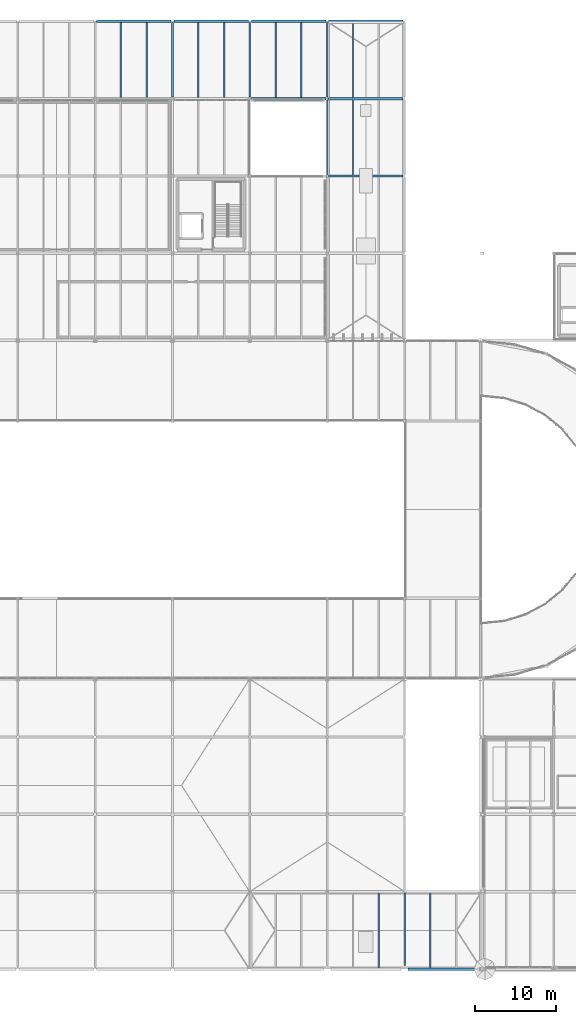
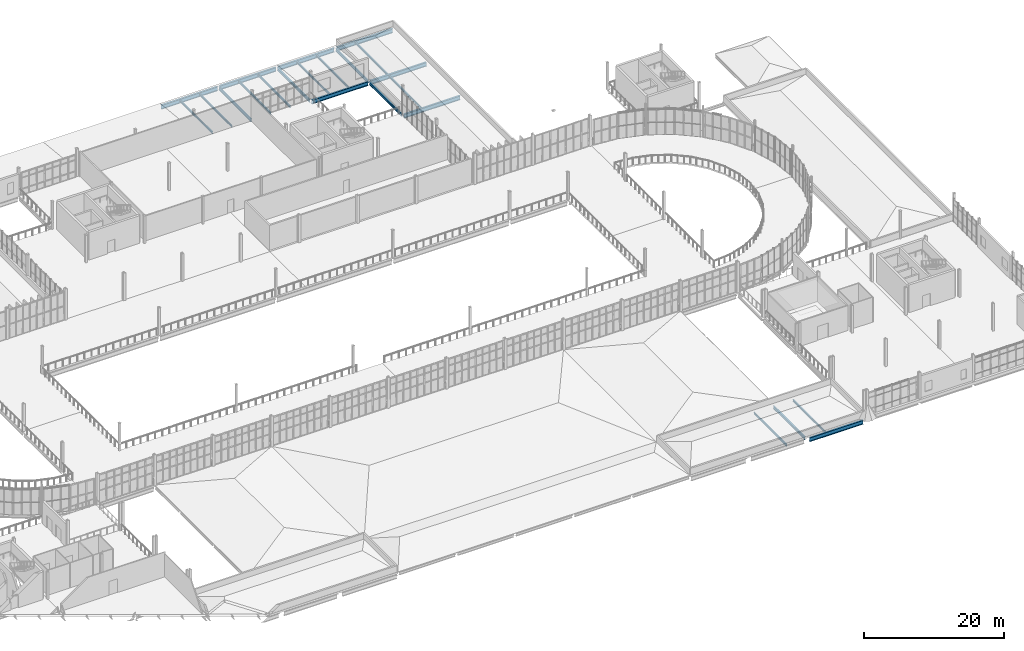
# One storey, part 54 of 112: 23 beams.
"""IFC4 building model written with IfcOpenShell, lengths in metres."""

from ifc_helpers import new_model, si_unit, direction, frame, origin, origin_2d, place, context, subcontext, project, spatial, i_section, extrude, material, material_profile, profile_set, type_object, element, save


model = new_model("IFC4")

# Units and contexts
model_context = context("Model", 3, precision=1e-05, world=origin(), true_north=direction((0.0, 1.0)))
body_context = subcontext(model_context, "Body", "Model", "MODEL_VIEW")
ifc_project = project(units=[si_unit("LENGTHUNIT", "METRE"), si_unit("AREAUNIT", "SQUARE_METRE"), si_unit("VOLUMEUNIT", "CUBIC_METRE"), si_unit("PLANEANGLEUNIT", "RADIAN"), si_unit("MASSUNIT", "GRAM", prefix="KILO")], contexts=[model_context])

# Site, building, storey
site_placement = place(None, origin())
site = spatial("IfcSite", under=ifc_project, at=site_placement, CompositionType="ELEMENT")
building_placement = place(site_placement, origin())
building = spatial("IfcBuilding", under=site, at=building_placement, Name="Yeouljin Market Hall", CompositionType="ELEMENT")
storey_placement = place(building_placement, frame((0.0, 0.0, 6.0)))
storey = spatial("IfcBuildingStorey", under=building, at=storey_placement, Name="L01", CompositionType="ELEMENT", Elevation=6.0)

# Beams
ifc_material_1 = material(Name="Steel SM355", Category="steel")
ifc_material_profile_1 = material_profile(ifc_material_1, i_section(OverallWidth=0.199951171875, OverallDepth=0.5, WebThickness=0.010009765625, FlangeThickness=0.01611328125, FilletRadius=0.02001953125, at=origin_2d()), Name="H-500x200x10x16")
ifc_profile_set_1 = profile_set([ifc_material_profile_1], Name="Steel SM355")
beam_type_1 = type_object("IfcBeamType", Name="Beam_H-500x200x10x16", PredefinedType="BEAM", material=ifc_profile_set_1)
for number, where, z_axis, x_axis, name in (
    (1, (121.800048828125, 98.574951171875, -0.530029296875), (0.0, 1.0, 0.0), (-1.0, 0.0, 0.0), "Primary beam BM-L01-Y198"),
    (2, (121.800048828125, 108.175048828125, -0.530029296875), (0.0, 1.0, 0.0), (-1.0, 0.0, 0.0), "Primary beam BM-L01-Y199"),
):
    element("IfcBeam", number, at=place(storey_placement, frame(where, z_axis=z_axis, x_axis=x_axis)), inside=storey, type_object=beam_type_1, Name=name, PredefinedType="BEAM", context=body_context, shape_type="SweptSolid", body=[
        extrude(i_section(OverallWidth=0.199951171875, OverallDepth=0.5, WebThickness=0.010009765625, FlangeThickness=0.01611328125, FilletRadius=0.02001953125, at=origin_2d()), origin(), (0.0, 0.0, 1.0), 9.25),
    ])
beam_1_placement = place(storey_placement, frame((131.39990234375, 0.449951171875, -0.530029296875), z_axis=(0.0, 1.0, 0.0), x_axis=(-1.0, 0.0, 0.0)))
element("IfcBeam", 3, at=beam_1_placement, inside=storey, type_object=beam_type_1, Name="Primary beam BM-L01-Y200", PredefinedType="BEAM", context=body_context, shape_type="SweptSolid", body=[
    extrude(i_section(OverallWidth=0.199951171875, OverallDepth=0.5, WebThickness=0.010009765625, FlangeThickness=0.01611328125, FilletRadius=0.02001953125, at=origin_2d()), origin(), (0.0, 0.0, 1.0), 8.97509765625),
])
for number, where, z_axis, x_axis, name in (
    (4, (102.60009765625, 108.175048828125, -0.530029296875), (0.0, 1.0, 0.0), (-1.0, 0.0, 0.0), "Primary beam BM-V4DK-Y05"),
    (5, (112.199951171875, 108.175048828125, -0.530029296875), (0.0, 1.0, 0.0), (-1.0, 0.0, 0.0), "Primary beam BM-V4DK-Y06"),
):
    element("IfcBeam", number, at=place(storey_placement, frame(where, z_axis=z_axis, x_axis=x_axis)), inside=storey, type_object=beam_type_1, Name=name, PredefinedType="BEAM", context=body_context, shape_type="SweptSolid", body=[
        extrude(i_section(OverallWidth=0.199951171875, OverallDepth=0.5, WebThickness=0.010009765625, FlangeThickness=0.01611328125, FilletRadius=0.02001953125, at=origin_2d()), origin(), (0.0, 0.0, 1.0), 9.25),
    ])
ifc_material_2 = material(Name="Steel SM355", Category="steel")
ifc_material_profile_2 = material_profile(ifc_material_2, i_section(OverallWidth=0.300048828125, OverallDepth=0.699951171875, WebThickness=0.012939453125, FlangeThickness=0.02392578125, FilletRadius=0.02587890625, at=origin_2d()), Name="H-700x300x13x24")
ifc_profile_set_2 = profile_set([ifc_material_profile_2], Name="Steel SM355")
beam_type_2 = type_object("IfcBeamType", Name="Girder_H-700x300x13x24", PredefinedType="USERDEFINED", material=ifc_profile_set_2)
beam_2_placement = place(storey_placement, frame((131.85009765625, 0.0, -0.6298828125), z_axis=(1.0, 0.0, 0.0), x_axis=(0.0, 1.0, 0.0)))
element("IfcBeam", 6, at=beam_2_placement, inside=storey, type_object=beam_type_2, Name="Primary girder GRD-L01-X010", ObjectType="GIRDER", PredefinedType="USERDEFINED", context=body_context, shape_type="SweptSolid", body=[
    extrude(i_section(OverallWidth=0.300048828125, OverallDepth=0.699951171875, WebThickness=0.012939453125, FlangeThickness=0.02392578125, FilletRadius=0.02587890625, at=origin_2d()), origin(), (0.0, 0.0, 1.0), 8.784912109375),
])
for number, where, z_axis, x_axis, name in (
    (7, (121.97509765625, 98.39990234375, -0.6298828125), (1.0, 0.0, 0.0), (0.0, 1.0, 0.0), "Primary girder GRD-L01-X114"),
    (8, (121.97509765625, 108.0, -0.6298828125), (1.0, 0.0, 0.0), (0.0, 1.0, 0.0), "Primary girder GRD-L01-X121"),
    (9, (121.97509765625, 117.60009765625, -0.6298828125), (1.0, 0.0, 0.0), (0.0, 1.0, 0.0), "Primary girder GRD-L01-X123"),
    (10, (93.175048828125, 117.60009765625, -0.6298828125), (1.0, 0.0, 0.0), (0.0, 1.0, 0.0), "Primary girder GRD-V4DK-X05"),
    (11, (102.77490234375, 117.60009765625, -0.6298828125), (1.0, 0.0, 0.0), (0.0, 1.0, 0.0), "Primary girder GRD-V4DK-X06"),
    (12, (112.375, 117.60009765625, -0.6298828125), (1.0, 0.0, 0.0), (0.0, 1.0, 0.0), "Primary girder GRD-V4DK-X07"),
    (13, (112.375, 108.0, -0.6298828125), (1.0, 0.0, 0.0), (0.0, 1.0, 0.0), "Primary girder GRD-V4DK-X09"),
):
    element("IfcBeam", number, at=place(storey_placement, frame(where, z_axis=z_axis, x_axis=x_axis)), inside=storey, type_object=beam_type_2, Name=name, ObjectType="GIRDER", PredefinedType="USERDEFINED", context=body_context, shape_type="SweptSolid", body=[
        extrude(i_section(OverallWidth=0.300048828125, OverallDepth=0.699951171875, WebThickness=0.012939453125, FlangeThickness=0.02392578125, FilletRadius=0.02587890625, at=origin_2d()), origin(), (0.0, 0.0, 1.0), 9.25),
    ])
ifc_material_3 = material(Name="Steel SM355", Category="steel")
ifc_material_profile_3 = material_profile(ifc_material_3, i_section(OverallWidth=0.175048828125, OverallDepth=0.35009765625, WebThickness=0.007080078125, FlangeThickness=0.010986328125, FilletRadius=0.013916015625, at=origin_2d()), Name="H-350x175x7x11")
ifc_profile_set_3 = profile_set([ifc_material_profile_3], Name="Steel SM355")
beam_type_3 = type_object("IfcBeamType", Name="Joist_H-350x175x7x11", PredefinedType="JOIST", material=ifc_profile_set_3)
for number, where, z_axis, x_axis, name in (
    (14, (128.199951171875, 0.14697265625, -0.455078125), (0.0, 1.0, 0.0), (-1.0, 0.0, 0.0), "Secondary floor joist L01-081"),
    (15, (125.0, 98.547119140625, -0.455078125), (0.0, 1.0, 0.0), (-1.0, 0.0, 0.0), "Secondary floor joist L01-090"),
    (16, (125.0, 108.14697265625, -0.455078125), (0.0, 1.0, 0.0), (-1.0, 0.0, 0.0), "Secondary floor joist L01-092"),
    (17, (134.60009765625, 0.14697265625, -0.455078125), (0.0, 1.0, 0.0), (-1.0, 0.0, 0.0), "Secondary floor joist L01-094"),
    (18, (96.199951171875, 108.14697265625, -0.455078125), (0.0, 1.0, 0.0), (-1.0, 0.0, 0.0), "Secondary floor joist JST-V4DK-09"),
    (19, (99.39990234375, 108.14697265625, -0.455078125), (0.0, 1.0, 0.0), (-1.0, 0.0, 0.0), "Secondary floor joist JST-V4DK-10"),
    (20, (105.800048828125, 108.14697265625, -0.455078125), (0.0, 1.0, 0.0), (-1.0, 0.0, 0.0), "Secondary floor joist JST-V4DK-11"),
    (21, (109.0, 108.14697265625, -0.455078125), (0.0, 1.0, 0.0), (-1.0, 0.0, 0.0), "Secondary floor joist JST-V4DK-12"),
    (22, (115.39990234375, 108.14697265625, -0.455078125), (0.0, 1.0, 0.0), (-1.0, 0.0, 0.0), "Secondary floor joist JST-V4DK-13"),
    (23, (118.60009765625, 108.14697265625, -0.455078125), (0.0, 1.0, 0.0), (-1.0, 0.0, 0.0), "Secondary floor joist JST-V4DK-14"),
):
    element("IfcBeam", number, at=place(storey_placement, frame(where, z_axis=z_axis, x_axis=x_axis)), inside=storey, type_object=beam_type_3, Name=name, PredefinedType="JOIST", context=body_context, shape_type="SweptSolid", body=[
        extrude(i_section(OverallWidth=0.175048828125, OverallDepth=0.35009765625, WebThickness=0.007080078125, FlangeThickness=0.010986328125, FilletRadius=0.013916015625, at=origin_2d()), origin(), (0.0, 0.0, 1.0), 9.305908203125),
    ])

save(model, "model.ifc")
